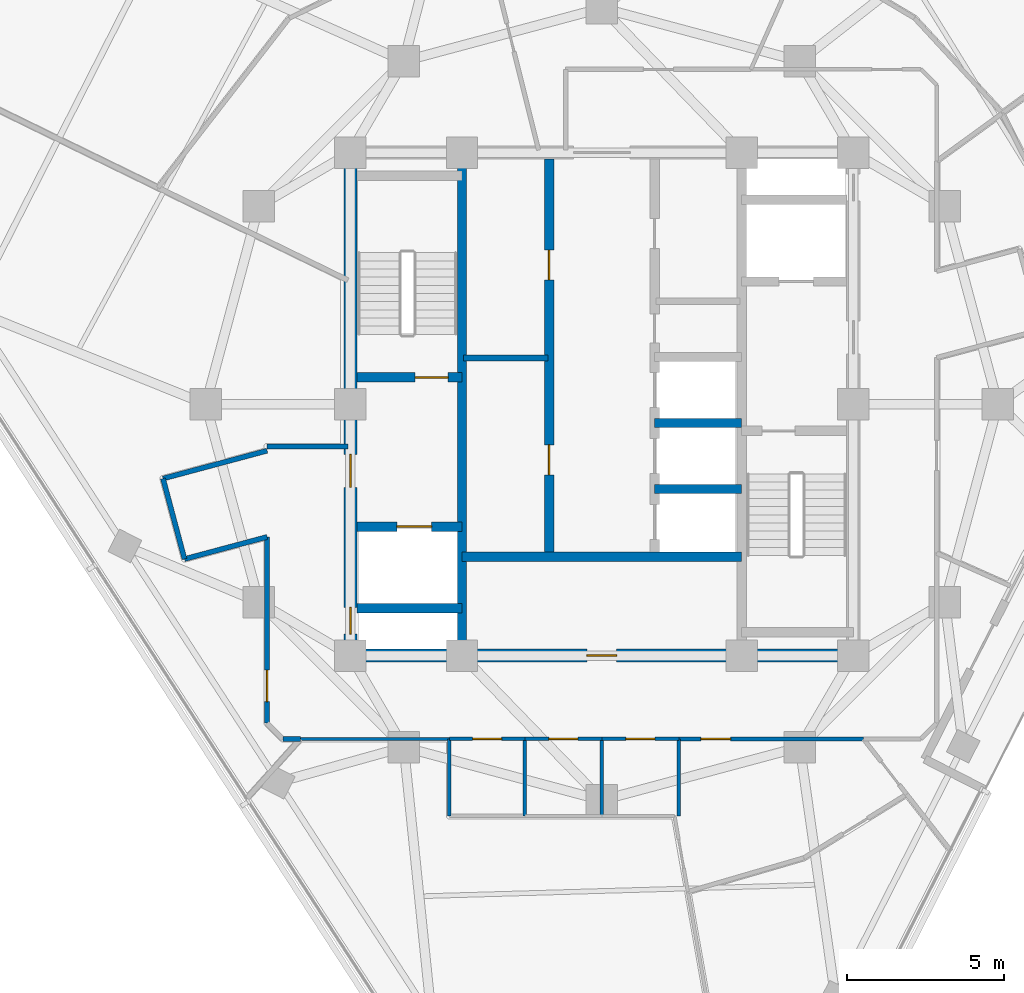
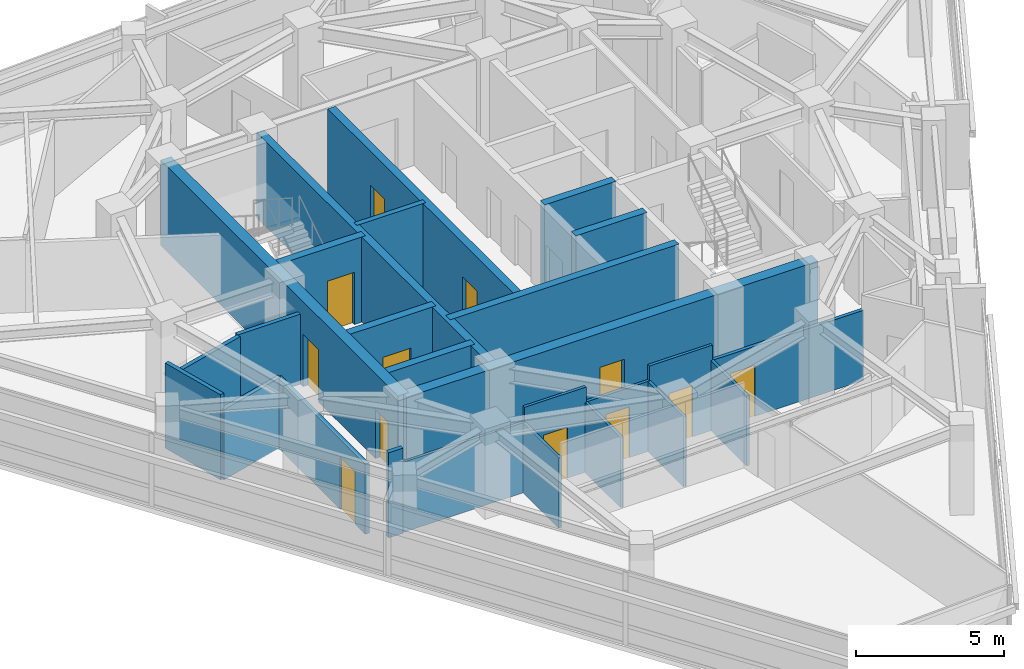
# One storey, part 8 of 15: 26 walls, 12 doors, 12 openings.
"""IFC4 building model written with IfcOpenShell, lengths in metres."""

import ifcopenshell
import ifcopenshell.guid

model = None  # the IFC model being written
_history = None  # IfcOwnerHistory: only IFC2X3 demands one
_inside = {}  # id of a spatial element -> (the spatial element, [elements in it])
_under = {}  # id of a project, library or spatial element -> (it, [spatial elements below it])
_declared = {}  # id of a project -> (the project, [libraries it declares])
_typed = {}  # id of a type object -> (the type object, [elements of that type])
_made_of = {}  # id of a material, layer set ... -> (it, [elements and type objects made of it])


def new_model(schema):
    """Start an empty IFC model of exactly this schema.

    Asked for "IFC4X3", IfcOpenShell would pick the latest addendum, in which some entities
    have other attributes; the version numbers below select the first issue.
    IFC2X3 requires an IfcOwnerHistory on every rooted entity: one is made here for all.
    """
    global model, _history
    if schema == "IFC4X3":
        model = ifcopenshell.file(schema_version=(4, 3, 0, 0))
    else:
        model = ifcopenshell.file(schema=schema)
    _inside.clear()
    _under.clear()
    _declared.clear()
    _typed.clear()
    _made_of.clear()
    _history = None
    if model.schema == "IFC2X3":
        org = make("IfcOrganization", Name="unknown")
        user = make(
            "IfcPersonAndOrganization",
            ThePerson=make("IfcPerson", FamilyName="unknown"),
            TheOrganization=org,
        )
        app = make(
            "IfcApplication",
            ApplicationDeveloper=org,
            Version="unknown",
            ApplicationFullName="unknown",
            ApplicationIdentifier="unknown",
        )
        _history = make(
            "IfcOwnerHistory",
            OwningUser=user,
            OwningApplication=app,
            ChangeAction="ADDED",
            CreationDate=0,
        )
    return model


def make(cls, **values):
    """One entity of the class cls with the attributes given. An attribute that is None is left unset."""
    return model.create_entity(
        cls, **{name: value for name, value in values.items() if value is not None}
    )


def rooted(cls, **values):
    """An entity with a GlobalId (a new one), such as an element, a storey or a relation."""
    return make(cls, GlobalId=ifcopenshell.guid.new(), OwnerHistory=_history, **values)


def si_unit(unit_type, name, prefix=None):
    """IfcSIUnit, for example si_unit("LENGTHUNIT", "METRE", prefix="MILLI")."""
    return make("IfcSIUnit", UnitType=unit_type, Prefix=prefix, Name=name)


def assignment(units):
    """IfcUnitAssignment: the units of a project."""
    return None if units is None else make("IfcUnitAssignment", Units=units)


def point(xyz):
    """IfcCartesianPoint."""
    return None if xyz is None else make("IfcCartesianPoint", Coordinates=xyz)


def direction(xyz):
    """IfcDirection."""
    return None if xyz is None else make("IfcDirection", DirectionRatios=xyz)


def frame(location, z_axis=None, x_axis=None):
    """IfcAxis2Placement3D, a coordinate frame: its origin and axes. An axis left out is left unset."""
    return make(
        "IfcAxis2Placement3D",
        Location=point(location),
        Axis=direction(z_axis),
        RefDirection=direction(x_axis),
    )


def frame_2d(location, x_axis=None):
    """IfcAxis2Placement2D, a coordinate frame in the plane: its origin and x axis."""
    return make(
        "IfcAxis2Placement2D", Location=point(location), RefDirection=direction(x_axis)
    )


def origin():
    """The frame at (0, 0, 0) with its axes left unset."""
    return frame((0.0, 0.0, 0.0))


def place(relative_to, where):
    """IfcLocalPlacement: puts the frame where relative to a parent placement (None: the world)."""
    return make(
        "IfcLocalPlacement", PlacementRelTo=relative_to, RelativePlacement=where
    )


def context(
    kind, dimensions, precision=None, world=None, true_north=None, identifier=None
):
    """IfcGeometricRepresentationContext, for example the 3D "Model" context."""
    return make(
        "IfcGeometricRepresentationContext",
        ContextIdentifier=identifier,
        ContextType=kind,
        CoordinateSpaceDimension=dimensions,
        Precision=precision,
        WorldCoordinateSystem=world,
        TrueNorth=true_north,
    )


def subcontext(parent, identifier, kind, view, scale=None):
    """IfcGeometricRepresentationSubContext, for example "Body" below "Model"."""
    return make(
        "IfcGeometricRepresentationSubContext",
        ContextIdentifier=identifier,
        ContextType=kind,
        ParentContext=parent,
        TargetScale=scale,
        TargetView=view,
    )


def project(units=None, contexts=None):
    """IfcProject with its units and contexts."""
    return rooted(
        "IfcProject",
        Name="project",
        RepresentationContexts=contexts,
        UnitsInContext=assignment(units),
    )


def spatial(cls, under=None, at=None, **own):
    """A site, building, storey or space (cls), placed at a placement, below another one or the project."""
    s = rooted(cls, ObjectPlacement=at, **own)
    if under is not None:
        _under.setdefault(under.id(), (under, []))[1].append(s)
    return s


def profile(cls, at=None, kind="AREA", **sizes):
    """A parametric profile (cls). Its sizes go by their IFC names, for example OverallWidth=200.0."""
    return make(cls, ProfileType=kind, Position=at, **sizes)


def rectangle(**sizes):
    """IfcRectangleProfileDef."""
    return profile("IfcRectangleProfileDef", **sizes)


def extrude(swept, where, along, depth):
    """IfcExtrudedAreaSolid: the profile swept, set in the frame where, extruded along a direction by depth."""
    return make(
        "IfcExtrudedAreaSolid",
        SweptArea=swept,
        Position=where,
        ExtrudedDirection=direction(along),
        Depth=depth,
    )


def shape(context_of_items, identifier, shape_type, items):
    """IfcShapeRepresentation: the items that make up one representation, for example the "Body"."""
    return make(
        "IfcShapeRepresentation",
        ContextOfItems=context_of_items,
        RepresentationIdentifier=identifier,
        RepresentationType=shape_type,
        Items=items,
    )


def material(Name=None, Category=None):
    """IfcMaterial."""
    return make("IfcMaterial", Name=Name, Category=Category)


def layer(
    of_material, thickness, ventilated=None, Name=None, Category=None, Priority=None
):
    """IfcMaterialLayer: one layer of a wall or slab, of a material (None: an air gap)."""
    return make(
        "IfcMaterialLayer",
        Material=of_material,
        LayerThickness=thickness,
        IsVentilated=ventilated,
        Name=Name,
        Category=Category,
        Priority=Priority,
    )


def layer_set(layers, Name=None):
    """IfcMaterialLayerSet."""
    return make("IfcMaterialLayerSet", MaterialLayers=layers, LayerSetName=Name)


def made_of(thing, what):
    """Note that an element or type object is made of a material, layer set ...; save() writes the relation."""
    if what is not None:
        _made_of.setdefault(what.id(), (what, []))[1].append(thing)
    return thing


def type_object(cls, material=None, **own):
    """A type object (cls), such as IfcWallType, which elements share."""
    return made_of(rooted(cls, **own), material)


def element(
    cls,
    number,
    at=None,
    inside=None,
    cuts=None,
    type_object=None,
    material=None,
    context=None,
    identifier="Body",
    shape_type=None,
    held_by="IfcProductDefinitionShape",
    body=None,
    shapes=None,
    **own,
):
    """One element of the class cls, such as IfcWall. Its Tag is "e" and its number.

    at: its placement. inside: the storey or other place that contains it. cuts: it is an
    opening in that element (IfcRelVoidsElement). A single representation is given by context,
    identifier, shape_type and body (its items); several are given by shapes. held_by: the class
    of the entity that holds the representations. save() writes the other relations.
    """
    e = rooted(cls, Tag="e%d" % number, ObjectPlacement=at, **own)
    if body is not None:
        shapes = [shape(context, identifier, shape_type, body)]
    if shapes is not None:
        e.Representation = make(held_by, Representations=shapes)
    if inside is not None:
        _inside.setdefault(inside.id(), (inside, []))[1].append(e)
    if cuts is not None:
        rooted(
            "IfcRelVoidsElement", RelatingBuildingElement=cuts, RelatedOpeningElement=e
        )
    if type_object is not None:
        _typed.setdefault(type_object.id(), (type_object, []))[1].append(e)
    return made_of(e, material)


def fill(opening, filler):
    """IfcRelFillsElement: the door or window that sits in an opening."""
    return rooted(
        "IfcRelFillsElement",
        RelatingOpeningElement=opening,
        RelatedBuildingElement=filler,
    )


def aggregate(whole, parts):
    """IfcRelAggregates: a whole, such as a stair, and the parts it consists of."""
    return rooted("IfcRelAggregates", RelatingObject=whole, RelatedObjects=parts)


def save(model, path):
    """Write the relations noted so far, then the file.

    IfcRelAggregates (storeys below a building ...), IfcRelContainedInSpatialStructure (elements
    in a storey), IfcRelDefinesByType, IfcRelAssociatesMaterial and IfcRelDeclares: one each for
    every whole, place, type object, material and project.
    """
    for whole, parts in _under.values():
        aggregate(whole, parts)
    for where, things in _inside.values():
        rooted(
            "IfcRelContainedInSpatialStructure",
            RelatedElements=things,
            RelatingStructure=where,
        )
    for kind, things in _typed.values():
        rooted("IfcRelDefinesByType", RelatedObjects=things, RelatingType=kind)
    for what, things in _made_of.values():
        rooted("IfcRelAssociatesMaterial", RelatedObjects=things, RelatingMaterial=what)
    for by, libraries in _declared.values():
        rooted("IfcRelDeclares", RelatingContext=by, RelatedDefinitions=libraries)
    model.write(path)


model = new_model("IFC4")

# Units and contexts
model_context = context("Model", 3, precision=1e-05, world=origin(), true_north=direction((0.0, 1.0)))
body_context = subcontext(model_context, "Body", "Model", "MODEL_VIEW")
ifc_project = project(units=[si_unit("LENGTHUNIT", "METRE"), si_unit("AREAUNIT", "SQUARE_METRE"), si_unit("VOLUMEUNIT", "CUBIC_METRE"), si_unit("PLANEANGLEUNIT", "RADIAN"), si_unit("MASSUNIT", "GRAM", prefix="KILO")], contexts=[model_context])

# Site, building, storey
site_placement = place(None, origin())
site = spatial("IfcSite", under=ifc_project, at=site_placement, CompositionType="ELEMENT")
building_placement = place(site_placement, origin())
building = spatial("IfcBuilding", under=site, at=building_placement, Name="Terralouvre Media Tower", CompositionType="ELEMENT")
storey_placement = place(building_placement, frame((0.0, 0.0, 252.199951171875)))
storey = spatial("IfcBuildingStorey", under=building, at=storey_placement, Name="L65", CompositionType="ELEMENT", Elevation=252.199951171875)

# Wall
ifc_material_1 = material(Name="Concrete C50/60", Category="concrete")
ifc_layer_1 = layer(ifc_material_1, 0.300048828125, Name="Core Internal Shaft Wall CW-300")
ifc_layer_set_1 = layer_set([ifc_layer_1], Name="Concrete C50/60")
wall_type_1 = type_object("IfcWallType", Name="Core Internal Shaft Wall CW-300", PredefinedType="SHEAR", material=ifc_layer_set_1)
wall_1_placement = place(storey_placement, frame((-4.449951171875, -7.7900390625, 0.0), z_axis=(0.0, 0.0, 1.0), x_axis=(0.0, 1.0, 0.0)))
element("IfcWall", 1, at=wall_1_placement, inside=storey, type_object=wall_type_1, Name="L65 Core Shaft Wall SPW", PredefinedType="SHEAR", context=body_context, shape_type="SweptSolid", body=[
    extrude(rectangle(XDim=15.580078125, YDim=0.300048828125, at=frame_2d((7.7900390625, 0.0))), origin(), (0.0, 0.0, 1.0), 3.5),
])

# Wall, opening, door
wall_2_placement = place(storey_placement, frame((-7.7900390625, 0.85009765625, 0.0), z_axis=(0.0, 0.0, 1.0), x_axis=(1.0, 0.0, 0.0)))
wall_2 = element("IfcWall", 2, at=wall_2_placement, inside=storey, type_object=wall_type_1, Name="L65 Core Shaft Wall ST1D", PredefinedType="SHEAR", context=body_context, shape_type="SweptSolid", body=[
    extrude(rectangle(XDim=3.340087890625, YDim=0.300048828125, at=frame_2d((1.669921875, 0.0))), origin(), (0.0, 0.0, 1.0), 3.5),
])
opening_1_placement = place(wall_2_placement, frame((1.85009765625, 0.0, 0.0)))
opening_1 = element("IfcOpeningElement", 3, at=opening_1_placement, cuts=wall_2, Name="Opening FD-01-105X215", PredefinedType="OPENING", context=body_context, shape_type="SweptSolid", body=[
    extrude(rectangle(XDim=1.050048828125, YDim=2.14990234375, at=frame_2d((0.52490234375, 1.074951171875))), frame((0.0, 0.159912109375, 0.0), z_axis=(0.0, -1.0, 0.0), x_axis=(1.0, 0.0, 0.0)), (0.0, 0.0, 1.0), 0.320068359375),
])
ifc_material_2 = material(Name="Galvanised steel fire-resisting leaf", Category="steel")
door_type_1 = type_object("IfcDoorType", Name="Stair and Firefighting Lobby Fire Door FD-01 (1050x2150)", OperationType="NOTDEFINED", PredefinedType="DOOR", material=ifc_material_2)
door_1_placement = place(opening_1_placement, origin())
door_1 = element("IfcDoor", 4, at=door_1_placement, inside=storey, type_object=door_type_1, Name="L65 ST-01 Exit Stair Door", OperationType="SINGLE_SWING_LEFT", OverallHeight=2.14990234375, OverallWidth=1.050048828125, PredefinedType="DOOR", context=body_context, shape_type="SweptSolid", body=[
    extrude(rectangle(XDim=1.050048828125, YDim=2.14990234375, at=frame_2d((0.52490234375, 1.074951171875))), frame((0.0, 0.02490234375, 0.0), z_axis=(0.0, -1.0, 0.0), x_axis=(1.0, 0.0, 0.0)), (0.0, 0.0, 1.0), 0.050048828125),
])
fill(opening_1, door_1)

wall_3_placement = place(storey_placement, frame((-7.7900390625, -3.89990234375, 0.0), z_axis=(0.0, 0.0, 1.0), x_axis=(1.0, 0.0, 0.0)))
wall_3 = element("IfcWall", 5, at=wall_3_placement, inside=storey, type_object=wall_type_1, Name="L65 Core Shaft Wall FF1N", PredefinedType="SHEAR", context=body_context, shape_type="SweptSolid", body=[
    extrude(rectangle(XDim=3.340087890625, YDim=0.300048828125, at=frame_2d((1.669921875, 0.0))), origin(), (0.0, 0.0, 1.0), 3.5),
])
opening_2_placement = place(wall_3_placement, frame((1.27001953125, 0.0, 0.0)))
opening_2 = element("IfcOpeningElement", 6, at=opening_2_placement, cuts=wall_3, Name="Opening LD-FF", PredefinedType="OPENING", context=body_context, shape_type="SweptSolid", body=[
    extrude(rectangle(XDim=1.10009765625, YDim=2.10009765625, at=frame_2d((0.550048828125, 1.050048828125))), frame((0.0, 0.159912109375, 0.0), z_axis=(0.0, -1.0, 0.0), x_axis=(1.0, 0.0, 0.0)), (0.0, 0.0, 1.0), 0.320068359375),
])
ifc_material_3 = material(Name="Stainless steel 316 handrail and balustrade", Category="steel")
door_type_2 = type_object("IfcDoorType", Name="Firefighting Lift Sliding Landing Door LD-FF", OperationType="SLIDING_TO_LEFT", PredefinedType="DOOR", material=ifc_material_3)
door_2_placement = place(opening_2_placement, origin())
door_2 = element("IfcDoor", 7, at=door_2_placement, inside=storey, type_object=door_type_2, Name="L65 Firefighting Lift FFL-01 Landing Door", OperationType="SLIDING_TO_LEFT", OverallHeight=2.10009765625, OverallWidth=1.10009765625, PredefinedType="DOOR", context=body_context, shape_type="SweptSolid", body=[
    extrude(rectangle(XDim=1.10009765625, YDim=2.10009765625, at=frame_2d((0.550048828125, 1.050048828125))), frame((0.0, 0.02490234375, 0.0), z_axis=(0.0, -1.0, 0.0), x_axis=(1.0, 0.0, 0.0)), (0.0, 0.0, 1.0), 0.050048828125),
])
fill(opening_2, door_2)

# Walls
wall_4_placement = place(storey_placement, frame((-7.7900390625, -6.5, 0.0), z_axis=(0.0, 0.0, 1.0), x_axis=(1.0, 0.0, 0.0)))
element("IfcWall", 8, at=wall_4_placement, inside=storey, type_object=wall_type_1, Name="L65 Core Shaft Wall FF1S", PredefinedType="SHEAR", context=body_context, shape_type="SweptSolid", body=[
    extrude(rectangle(XDim=3.340087890625, YDim=0.300048828125, at=frame_2d((1.669921875, 0.0))), origin(), (0.0, 0.0, 1.0), 3.5),
])
wall_5_placement = place(storey_placement, frame((-4.449951171875, -4.85009765625, 0.0), z_axis=(0.0, 0.0, 1.0), x_axis=(1.0, 0.0, 0.0)))
element("IfcWall", 9, at=wall_5_placement, inside=storey, type_object=wall_type_1, Name="L65 Core Shaft Wall CSBN", PredefinedType="SHEAR", context=body_context, shape_type="SweptSolid", body=[
    extrude(rectangle(XDim=8.89990234375, YDim=0.300048828125, at=frame_2d((4.449951171875, 0.0))), origin(), (0.0, 0.0, 1.0), 3.5),
])

# Wall, openings, doors
wall_6_placement = place(storey_placement, frame((-1.679931640625, -4.85009765625, 0.0), z_axis=(0.0, 0.0, 1.0), x_axis=(0.0, 1.0, 0.0)))
wall_6 = element("IfcWall", 10, at=wall_6_placement, inside=storey, type_object=wall_type_1, Name="L65 Core Shaft Wall LBW", PredefinedType="SHEAR", context=body_context, shape_type="SweptSolid", body=[
    extrude(rectangle(XDim=12.64013671875, YDim=0.300048828125, at=frame_2d((6.320068359375, 0.0))), origin(), (0.0, 0.0, 1.0), 3.5),
])
opening_3_placement = place(wall_6_placement, frame((2.60009765625, 0.0, 0.0)))
opening_3 = element("IfcOpeningElement", 11, at=opening_3_placement, cuts=wall_6, Name="Opening FD-02-95X210", PredefinedType="OPENING", context=body_context, shape_type="SweptSolid", body=[
    extrude(rectangle(XDim=0.949951171875, YDim=2.10009765625, at=frame_2d((0.47509765625, 1.050048828125))), frame((0.0, 0.159912109375, 0.0), z_axis=(0.0, -1.0, 0.0), x_axis=(1.0, 0.0, 0.0)), (0.0, 0.0, 1.0), 0.320068359375),
])
opening_4_placement = place(wall_6_placement, frame((8.800048828125, 0.0, 0.0)))
opening_4 = element("IfcOpeningElement", 12, at=opening_4_placement, cuts=wall_6, Name="Opening FD-04-95X210", PredefinedType="OPENING", context=body_context, shape_type="SweptSolid", body=[
    extrude(rectangle(XDim=0.949951171875, YDim=2.10009765625, at=frame_2d((0.47509765625, 1.050048828125))), frame((0.0, 0.159912109375, 0.0), z_axis=(0.0, -1.0, 0.0), x_axis=(1.0, 0.0, 0.0)), (0.0, 0.0, 1.0), 0.320068359375),
])
ifc_material_4 = material(Name="Galvanised steel fire-resisting leaf", Category="steel")
door_type_3 = type_object("IfcDoorType", Name="Core Store and Service Fire Door FD-04 (950x2100)", OperationType="NOTDEFINED", PredefinedType="DOOR", material=ifc_material_4)
door_3_placement = place(opening_4_placement, origin())
door_3 = element("IfcDoor", 13, at=door_3_placement, inside=storey, type_object=door_type_3, Name="L65 Core Linen Store Door", OperationType="SINGLE_SWING_RIGHT", OverallHeight=2.10009765625, OverallWidth=0.949951171875, PredefinedType="DOOR", context=body_context, shape_type="SweptSolid", body=[
    extrude(rectangle(XDim=0.949951171875, YDim=2.10009765625, at=frame_2d((0.47509765625, 1.050048828125))), frame((0.0, 0.02490234375, 0.0), z_axis=(0.0, -1.0, 0.0), x_axis=(1.0, 0.0, 0.0)), (0.0, 0.0, 1.0), 0.050048828125),
])
fill(opening_4, door_3)
ifc_material_5 = material(Name="Galvanised steel fire-resisting leaf", Category="steel")
door_type_4 = type_object("IfcDoorType", Name="Plant and Riser Fire Door FD-02 (950x2100)", OperationType="NOTDEFINED", PredefinedType="DOOR", material=ifc_material_5)
door_4_placement = place(opening_3_placement, origin())
door_4 = element("IfcDoor", 14, at=door_4_placement, inside=storey, type_object=door_type_4, Name="L65 Core Fibre Patch Plant Door", OperationType="SINGLE_SWING_LEFT", OverallHeight=2.10009765625, OverallWidth=0.949951171875, PredefinedType="DOOR", context=body_context, shape_type="SweptSolid", body=[
    extrude(rectangle(XDim=0.949951171875, YDim=2.10009765625, at=frame_2d((0.47509765625, 1.050048828125))), frame((0.0, 0.02490234375, 0.0), z_axis=(0.0, -1.0, 0.0), x_axis=(1.0, 0.0, 0.0)), (0.0, 0.0, 1.0), 0.050048828125),
])
fill(opening_3, door_4)

# Walls
for number, where, z_axis, x_axis, name in (
    (15, (1.679931640625, -2.699951171875, 0.0), (0.0, 0.0, 1.0), (1.0, 0.0, 0.0), "L65 Core Shaft Wall PLHD1"),
    (16, (1.679931640625, -0.60009765625, 0.0), (0.0, 0.0, 1.0), (1.0, 0.0, 0.0), "L65 Core Shaft Wall PLHD2"),
):
    element("IfcWall", number, at=place(storey_placement, frame(where, z_axis=z_axis, x_axis=x_axis)), inside=storey, type_object=wall_type_1, Name=name, PredefinedType="SHEAR", context=body_context, shape_type="SweptSolid", body=[
        extrude(rectangle(XDim=2.77001953125, YDim=0.300048828125, at=frame_2d((1.385009765625, 0.0))), origin(), (0.0, 0.0, 1.0), 3.5),
    ])

# Wall, openings, doors
ifc_material_6 = material(Name="Concrete C60/75", Category="concrete")
ifc_layer_2 = layer(ifc_material_6, 0.419921875, Name="Core Reinforced Concrete Shear Wall CW-420")
ifc_layer_set_2 = layer_set([ifc_layer_2], Name="Concrete C60/75")
wall_type_2 = type_object("IfcWallType", Name="Core Reinforced Concrete Shear Wall CW-420", PredefinedType="SHEAR", material=ifc_layer_set_2)
wall_7_placement = place(storey_placement, frame((-8.0, -8.0, 0.0), z_axis=(0.0, 0.0, 1.0), x_axis=(0.0, 1.0, 0.0)))
wall_7 = element("IfcWall", 17, at=wall_7_placement, inside=storey, type_object=wall_type_2, Name="L65 W Core Shear Wall", PredefinedType="SHEAR", context=body_context, shape_type="SweptSolid", body=[
    extrude(rectangle(XDim=16.0, YDim=0.419921875, at=frame_2d((8.0, 0.0))), origin(), (0.0, 0.0, 1.0), 3.5),
])
opening_5_placement = place(wall_7_placement, frame((0.68115234375, 0.0, 0.0)))
opening_5 = element("IfcOpeningElement", 18, at=opening_5_placement, cuts=wall_7, Name="Opening TD-R1", PredefinedType="OPENING", context=body_context, shape_type="SweptSolid", body=[
    extrude(rectangle(XDim=0.85009765625, YDim=2.02001953125, at=frame_2d((0.425048828125, 1.010009765625))), frame((0.0, 0.219970703125, 0.0), z_axis=(0.0, -1.0, 0.0), x_axis=(1.0, 0.0, 0.0)), (0.0, 0.0, 1.0), 0.43994140625),
])
opening_6_placement = place(wall_7_placement, frame((5.35009765625, 0.0, 0.0)))
opening_6 = element("IfcOpeningElement", 19, at=opening_6_placement, cuts=wall_7, Name="Opening FD-01-105X215", PredefinedType="OPENING", context=body_context, shape_type="SweptSolid", body=[
    extrude(rectangle(XDim=1.050048828125, YDim=2.14990234375, at=frame_2d((0.52490234375, 1.074951171875))), frame((0.0, 0.219970703125, 0.0), z_axis=(0.0, -1.0, 0.0), x_axis=(1.0, 0.0, 0.0)), (0.0, 0.0, 1.0), 0.43994140625),
])
ifc_material_7 = material(Name="Galvanised steel fire-resisting leaf", Category="steel")
door_type_5 = type_object("IfcDoorType", Name="Riser Inspection Access Trapdoor TD-R1", OperationType="NOTDEFINED", PredefinedType="TRAPDOOR", material=ifc_material_7)
door_5_placement = place(opening_5_placement, origin())
door_5 = element("IfcDoor", 20, at=door_5_placement, inside=storey, type_object=door_type_5, Name="L65 Wet Riser Access Trapdoor", OperationType="SINGLE_SWING_LEFT", OverallHeight=2.02001953125, OverallWidth=0.85009765625, PredefinedType="TRAPDOOR", context=body_context, shape_type="SweptSolid", body=[
    extrude(rectangle(XDim=0.85009765625, YDim=2.02001953125, at=frame_2d((0.425048828125, 1.010009765625))), frame((0.0, 0.02490234375, 0.0), z_axis=(0.0, -1.0, 0.0), x_axis=(1.0, 0.0, 0.0)), (0.0, 0.0, 1.0), 0.050048828125),
])
fill(opening_5, door_5)
door_6_placement = place(opening_6_placement, origin())
door_6 = element("IfcDoor", 21, at=door_6_placement, inside=storey, type_object=door_type_1, Name="L65 West Firefighting Lobby Entry Door", OperationType="SINGLE_SWING_RIGHT", OverallHeight=2.14990234375, OverallWidth=1.050048828125, PredefinedType="DOOR", context=body_context, shape_type="SweptSolid", body=[
    extrude(rectangle(XDim=1.050048828125, YDim=2.14990234375, at=frame_2d((0.52490234375, 1.074951171875))), frame((0.0, 0.02490234375, 0.0), z_axis=(0.0, -1.0, 0.0), x_axis=(1.0, 0.0, 0.0)), (0.0, 0.0, 1.0), 0.050048828125),
])
fill(opening_6, door_6)

# Wall, opening, door
wall_8_placement = place(storey_placement, frame((-8.0, -8.0, 0.0), z_axis=(0.0, 0.0, 1.0), x_axis=(1.0, 0.0, 0.0)))
wall_8 = element("IfcWall", 22, at=wall_8_placement, inside=storey, type_object=wall_type_2, Name="L65 S Core Shear Wall", PredefinedType="SHEAR", context=body_context, shape_type="SweptSolid", body=[
    extrude(rectangle(XDim=16.0, YDim=0.419921875, at=frame_2d((8.0, 0.0))), origin(), (0.0, 0.0, 1.0), 3.5),
])
opening_7_placement = place(wall_8_placement, frame((7.52001953125, 0.0, 0.0)))
opening_7 = element("IfcOpeningElement", 23, at=opening_7_placement, cuts=wall_8, Name="Opening FD-02-95X210", PredefinedType="OPENING", context=body_context, shape_type="SweptSolid", body=[
    extrude(rectangle(XDim=0.949951171875, YDim=2.10009765625, at=frame_2d((0.47509765625, 1.050048828125))), frame((0.0, 0.219970703125, 0.0), z_axis=(0.0, -1.0, 0.0), x_axis=(1.0, 0.0, 0.0)), (0.0, 0.0, 1.0), 0.43994140625),
])
door_7_placement = place(opening_7_placement, origin())
door_7 = element("IfcDoor", 24, at=door_7_placement, inside=storey, type_object=door_type_4, Name="L65 Core Switchgear Plant Door", OperationType="SINGLE_SWING_LEFT", OverallHeight=2.10009765625, OverallWidth=0.949951171875, PredefinedType="DOOR", context=body_context, shape_type="SweptSolid", body=[
    extrude(rectangle(XDim=0.949951171875, YDim=2.10009765625, at=frame_2d((0.47509765625, 1.050048828125))), frame((0.0, 0.02490234375, 0.0), z_axis=(0.0, -1.0, 0.0), x_axis=(1.0, 0.0, 0.0)), (0.0, 0.0, 1.0), 0.050048828125),
])
fill(opening_7, door_7)

# Walls
ifc_material_8 = material(Name="Low-iron laminated double glazing with solar-control coating", Category="glass")
ifc_layer_3 = layer(ifc_material_8, 0.10009765625, Name="Demountable Glazed Office Partition PT-GL100")
ifc_layer_set_3 = layer_set([ifc_layer_3], Name="Low-iron laminated double glazing with solar-control coating")
wall_type_3 = type_object("IfcWallType", Name="Demountable Glazed Office Partition PT-GL100", PredefinedType="MOVABLE", material=ifc_layer_set_3)
wall_9_placement = place(storey_placement, frame((-9.589111328125, -10.64990234375, 0.0), z_axis=(0.0, 0.0, 1.0), x_axis=(1.0, 0.0, 0.0)))
element("IfcWall", 25, at=wall_9_placement, inside=storey, type_object=wall_type_3, Name="L65 Interior Partition 014", PredefinedType="MOVABLE", context=body_context, shape_type="SweptSolid", body=[
    extrude(rectangle(XDim=4.739013671875, YDim=0.10009765625, at=frame_2d((2.36962890625, 0.0))), origin(), (0.0, 0.0, 1.0), 2.885009765625),
])
ifc_material_9 = material(Name="Fire-rated gypsum board drywall partition")
ifc_layer_4 = layer(ifc_material_9, 0.199951171875, Name="Fire-Rated Shaft and Lobby Partition FW-200")
ifc_layer_set_4 = layer_set([ifc_layer_4], Name="Fire-rated gypsum board drywall partition")
wall_type_4 = type_object("IfcWallType", Name="Fire-Rated Shaft and Lobby Partition FW-200", PredefinedType="SOLIDWALL", material=ifc_layer_set_4)
wall_10_placement = place(storey_placement, frame((-4.39990234375, 1.469970703125, 0.0), z_axis=(0.0, 0.0, 1.0), x_axis=(1.0, 0.0, 0.0)))
element("IfcWall", 26, at=wall_10_placement, inside=storey, type_object=wall_type_4, Name="L65 Core West Sub-Partition 1", PredefinedType="SOLIDWALL", context=body_context, shape_type="SweptSolid", body=[
    extrude(rectangle(XDim=2.679931640625, YDim=0.199951171875, at=frame_2d((1.33984375, 0.0))), origin(), (0.0, 0.0, 1.0), 3.5),
])

# Wall, opening, door
ifc_material_10 = material(Name="Fire-rated gypsum board drywall partition")
ifc_layer_5 = layer(ifc_material_10, 0.135009765625, Name="Newsroom Acoustic Partition PT-135")
ifc_layer_set_5 = layer_set([ifc_layer_5], Name="Fire-rated gypsum board drywall partition")
wall_type_5 = type_object("IfcWallType", Name="Newsroom Acoustic Partition PT-135", PredefinedType="PARTITIONING", material=ifc_layer_set_5)
wall_11_placement = place(storey_placement, frame((2.449951171875, -10.64990234375, 0.0), z_axis=(0.0, 0.0, 1.0), x_axis=(1.0, 0.0, 0.0)))
wall_11 = element("IfcWall", 27, at=wall_11_placement, inside=storey, type_object=wall_type_5, Name="L65 Interior Partition 017", PredefinedType="PARTITIONING", context=body_context, shape_type="SweptSolid", body=[
    extrude(rectangle(XDim=5.87109375, YDim=0.135009765625, at=frame_2d((2.935546875, 0.0))), origin(), (0.0, 0.0, 1.0), 2.885009765625),
])
opening_8_placement = place(wall_11_placement, frame((0.69921875, 0.0, 0.0)))
opening_8 = element("IfcOpeningElement", 28, at=opening_8_placement, cuts=wall_11, Name="Opening ID-02-95X210", PredefinedType="OPENING", context=body_context, shape_type="SweptSolid", body=[
    extrude(rectangle(XDim=0.949951171875, YDim=2.10009765625, at=frame_2d((0.47509765625, 1.050048828125))), frame((0.0, 0.077392578125, 0.0), z_axis=(0.0, -1.0, 0.0), x_axis=(1.0, 0.0, 0.0)), (0.0, 0.0, 1.0), 0.155029296875),
])
ifc_material_11 = material(Name="Engineered hardwood acoustic timber leaf", Category="wood")
door_type_6 = type_object("IfcDoorType", Name="Office and Meeting Room Door ID-02 (950x2100)", OperationType="NOTDEFINED", PredefinedType="DOOR", material=ifc_material_11)
door_8_placement = place(opening_8_placement, origin())
door_8 = element("IfcDoor", 29, at=door_8_placement, inside=storey, type_object=door_type_6, Name="L65 Book Review Reading Study 5 Door", OperationType="SINGLE_SWING_LEFT", OverallHeight=2.10009765625, OverallWidth=0.949951171875, PredefinedType="DOOR", context=body_context, shape_type="SweptSolid", body=[
    extrude(rectangle(XDim=0.949951171875, YDim=2.10009765625, at=frame_2d((0.47509765625, 1.050048828125))), frame((0.0, 0.02490234375, 0.0), z_axis=(0.0, -1.0, 0.0), x_axis=(1.0, 0.0, 0.0)), (0.0, 0.0, 1.0), 0.050048828125),
])
fill(opening_8, door_8)

ifc_material_12 = material(Name="Fire-rated gypsum board drywall partition")
ifc_layer_6 = layer(ifc_material_12, 0.114990234375, Name="Restroom and Pantry Partition PT-115")
ifc_layer_set_6 = layer_set([ifc_layer_6], Name="Fire-rated gypsum board drywall partition")
wall_type_6 = type_object("IfcWallType", Name="Restroom and Pantry Partition PT-115", PredefinedType="PARTITIONING", material=ifc_layer_set_6)
wall_12_placement = place(storey_placement, frame((-4.85009765625, -10.64990234375, 0.0), z_axis=(0.0, 0.0, 1.0), x_axis=(1.0, 0.0, 0.0)))
wall_12 = element("IfcWall", 30, at=wall_12_placement, inside=storey, type_object=wall_type_6, Name="L65 Interior Partition 013", PredefinedType="PARTITIONING", context=body_context, shape_type="SweptSolid", body=[
    extrude(rectangle(XDim=2.400146484375, YDim=0.114990234375, at=frame_2d((1.2001953125, 0.0))), origin(), (0.0, 0.0, 1.0), 3.5),
])
opening_9_placement = place(wall_12_placement, frame((0.739990234375, 0.0, 0.0)))
opening_9 = element("IfcOpeningElement", 31, at=opening_9_placement, cuts=wall_12, Name="Opening ID-03-92X210", PredefinedType="OPENING", context=body_context, shape_type="SweptSolid", body=[
    extrude(rectangle(XDim=0.919921875, YDim=2.10009765625, at=frame_2d((0.4599609375, 1.050048828125))), frame((0.0, 0.0673828125, 0.0), z_axis=(0.0, -1.0, 0.0), x_axis=(1.0, 0.0, 0.0)), (0.0, 0.0, 1.0), 0.135009765625),
])
ifc_material_13 = material(Name="Engineered hardwood acoustic timber leaf", Category="wood")
door_type_7 = type_object("IfcDoorType", Name="Accessible Restroom and Suite Door ID-03 (920x2100)", OperationType="NOTDEFINED", PredefinedType="DOOR", material=ifc_material_13)
door_9_placement = place(opening_9_placement, origin())
door_9 = element("IfcDoor", 32, at=door_9_placement, inside=storey, type_object=door_type_7, Name="L65 Male Restroom WC Door", OperationType="SINGLE_SWING_RIGHT", OverallHeight=2.10009765625, OverallWidth=0.919921875, PredefinedType="DOOR", context=body_context, shape_type="SweptSolid", body=[
    extrude(rectangle(XDim=0.919921875, YDim=2.10009765625, at=frame_2d((0.4599609375, 1.050048828125))), frame((0.0, 0.02490234375, 0.0), z_axis=(0.0, -1.0, 0.0), x_axis=(1.0, 0.0, 0.0)), (0.0, 0.0, 1.0), 0.050048828125),
])
fill(opening_9, door_9)

wall_13_placement = place(storey_placement, frame((-2.449951171875, -10.64990234375, 0.0), z_axis=(0.0, 0.0, 1.0), x_axis=(1.0, 0.0, 0.0)))
wall_13 = element("IfcWall", 33, at=wall_13_placement, inside=storey, type_object=wall_type_6, Name="L65 Interior Partition 015", PredefinedType="PARTITIONING", context=body_context, shape_type="SweptSolid", body=[
    extrude(rectangle(XDim=2.449951171875, YDim=0.114990234375, at=frame_2d((1.22509765625, 0.0))), origin(), (0.0, 0.0, 1.0), 2.885009765625),
])
opening_10_placement = place(wall_13_placement, frame((0.764892578125, 0.0, 0.0)))
opening_10 = element("IfcOpeningElement", 34, at=opening_10_placement, cuts=wall_13, Name="Opening ID-03-92X210", PredefinedType="OPENING", context=body_context, shape_type="SweptSolid", body=[
    extrude(rectangle(XDim=0.919921875, YDim=2.10009765625, at=frame_2d((0.4599609375, 1.050048828125))), frame((0.0, 0.0673828125, 0.0), z_axis=(0.0, -1.0, 0.0), x_axis=(1.0, 0.0, 0.0)), (0.0, 0.0, 1.0), 0.135009765625),
])
door_10_placement = place(opening_10_placement, origin())
door_10 = element("IfcDoor", 35, at=door_10_placement, inside=storey, type_object=door_type_7, Name="L65 Female Restroom WC Door", OperationType="SINGLE_SWING_LEFT", OverallHeight=2.10009765625, OverallWidth=0.919921875, PredefinedType="DOOR", context=body_context, shape_type="SweptSolid", body=[
    extrude(rectangle(XDim=0.919921875, YDim=2.10009765625, at=frame_2d((0.4599609375, 1.050048828125))), frame((0.0, 0.02490234375, 0.0), z_axis=(0.0, -1.0, 0.0), x_axis=(1.0, 0.0, 0.0)), (0.0, 0.0, 1.0), 0.050048828125),
])
fill(opening_10, door_10)

wall_14_placement = place(storey_placement, frame((0.0, -10.64990234375, 0.0), z_axis=(0.0, 0.0, 1.0), x_axis=(1.0, 0.0, 0.0)))
wall_14 = element("IfcWall", 36, at=wall_14_placement, inside=storey, type_object=wall_type_6, Name="L65 Interior Partition 016", PredefinedType="PARTITIONING", context=body_context, shape_type="SweptSolid", body=[
    extrude(rectangle(XDim=2.449951171875, YDim=0.114990234375, at=frame_2d((1.22509765625, 0.0))), origin(), (0.0, 0.0, 1.0), 3.5),
])
opening_11_placement = place(wall_14_placement, frame((0.764892578125, 0.0, 0.0)))
opening_11 = element("IfcOpeningElement", 37, at=opening_11_placement, cuts=wall_14, Name="Opening ID-03-92X210", PredefinedType="OPENING", context=body_context, shape_type="SweptSolid", body=[
    extrude(rectangle(XDim=0.919921875, YDim=2.10009765625, at=frame_2d((0.4599609375, 1.050048828125))), frame((0.0, 0.0673828125, 0.0), z_axis=(0.0, -1.0, 0.0), x_axis=(1.0, 0.0, 0.0)), (0.0, 0.0, 1.0), 0.135009765625),
])
door_11_placement = place(opening_11_placement, origin())
door_11 = element("IfcDoor", 38, at=door_11_placement, inside=storey, type_object=door_type_7, Name="L65 Accessible Unisex WC Door", OperationType="SINGLE_SWING_RIGHT", OverallHeight=2.10009765625, OverallWidth=0.919921875, PredefinedType="DOOR", context=body_context, shape_type="SweptSolid", body=[
    extrude(rectangle(XDim=0.919921875, YDim=2.10009765625, at=frame_2d((0.4599609375, 1.050048828125))), frame((0.0, 0.02490234375, 0.0), z_axis=(0.0, -1.0, 0.0), x_axis=(1.0, 0.0, 0.0)), (0.0, 0.0, 1.0), 0.050048828125),
])
fill(opening_11, door_11)

# Walls
for number, where, z_axis, x_axis, name in (
    (39, (-4.85009765625, -10.64990234375, 0.0), (0.0, 0.0, 1.0), (0.0, -1.0, 0.0), "L65 Interior Partition 034"),
    (40, (-2.449951171875, -13.10009765625, 0.0), (0.0, 0.0, 1.0), (0.0, 1.0, 0.0), "L65 Interior Partition 036"),
    (41, (0.0, -13.10009765625, 0.0), (0.0, 0.0, 1.0), (0.0, 1.0, 0.0), "L65 Interior Partition 041"),
    (42, (2.449951171875, -13.10009765625, 0.0), (0.0, 0.0, 1.0), (0.0, 1.0, 0.0), "L65 Interior Partition 042"),
):
    element("IfcWall", number, at=place(storey_placement, frame(where, z_axis=z_axis, x_axis=x_axis)), inside=storey, type_object=wall_type_6, Name=name, PredefinedType="PARTITIONING", context=body_context, shape_type="SweptSolid", body=[
        extrude(rectangle(XDim=2.4501953125, YDim=0.114990234375, at=frame_2d((1.22509765625, 0.0))), origin(), (0.0, 0.0, 1.0), 2.885009765625),
    ])
ifc_material_14 = material(Name="Fire-rated gypsum board drywall partition")
ifc_layer_7 = layer(ifc_material_14, 0.159912109375, Name="Studio Acoustic Rated Partition PT-160")
ifc_layer_set_7 = layer_set([ifc_layer_7], Name="Fire-rated gypsum board drywall partition")
wall_type_7 = type_object("IfcWallType", Name="Studio Acoustic Rated Partition PT-160", PredefinedType="PARTITIONING", material=ifc_layer_set_7)
wall_15_placement = place(storey_placement, frame((-8.080078125, -1.35009765625, 0.0), z_axis=(0.0, 0.0, 1.0), x_axis=(-1.0, 0.0, 0.0)))
element("IfcWall", 43, at=wall_15_placement, inside=storey, type_object=wall_type_7, Name="L65 Interior Partition 001", PredefinedType="PARTITIONING", context=body_context, shape_type="SweptSolid", body=[
    extrude(rectangle(XDim=2.56982421875, YDim=0.159912109375, at=frame_2d((1.284912109375, 0.0))), origin(), (0.0, 0.0, 1.0), 2.885009765625),
])
wall_16_placement = place(storey_placement, frame((-10.64990234375, -1.48193359375, 0.0), z_axis=(0.0, 0.0, 1.0), x_axis=(-0.965961397105, -0.2586862565, 0.0)))
element("IfcWall", 44, at=wall_16_placement, inside=storey, type_object=wall_type_7, Name="L65 Interior Partition 002", PredefinedType="PARTITIONING", context=body_context, shape_type="SweptSolid", body=[
    extrude(rectangle(XDim=3.4287109375, YDim=0.159912109375, at=frame_2d((1.71435546875, 0.0))), origin(), (0.0, 0.0, 1.0), 2.885009765625),
])
wall_17_placement = place(storey_placement, frame((-13.9619140625, -2.368896484375, 0.0), z_axis=(0.0, 0.0, 1.0), x_axis=(0.258413725385, -0.966034340245, 0.0)))
element("IfcWall", 45, at=wall_17_placement, inside=storey, type_object=wall_type_7, Name="L65 Interior Partition 003", PredefinedType="PARTITIONING", context=body_context, shape_type="SweptSolid", body=[
    extrude(rectangle(XDim=2.650146484375, YDim=0.159912109375, at=frame_2d((1.3251953125, 0.0))), origin(), (0.0, 0.0, 1.0), 3.5),
])
wall_18_placement = place(storey_placement, frame((-13.277099609375, -4.928955078125, 0.0), z_axis=(0.0, 0.0, 1.0), x_axis=(0.965934830229, 0.258785439601, 0.0)))
element("IfcWall", 46, at=wall_18_placement, inside=storey, type_object=wall_type_7, Name="L65 Interior Partition 004", PredefinedType="PARTITIONING", context=body_context, shape_type="SweptSolid", body=[
    extrude(rectangle(XDim=2.719970703125, YDim=0.159912109375, at=frame_2d((1.35986328125, 0.0))), origin(), (0.0, 0.0, 1.0), 2.885009765625),
])

# Wall, opening, door
wall_19_placement = place(storey_placement, frame((-10.64990234375, -4.22509765625, 0.0), z_axis=(0.0, 0.0, 1.0), x_axis=(0.0, -1.0, 0.0)))
wall_19 = element("IfcWall", 47, at=wall_19_placement, inside=storey, type_object=wall_type_7, Name="L65 Interior Partition 005", PredefinedType="PARTITIONING", context=body_context, shape_type="SweptSolid", body=[
    extrude(rectangle(XDim=5.9248046875, YDim=0.159912109375, at=frame_2d((2.96240234375, 0.0))), origin(), (0.0, 0.0, 1.0), 2.885009765625),
])
opening_12_placement = place(wall_19_placement, frame((4.239990234375, 0.0, 0.0)))
opening_12 = element("IfcOpeningElement", 48, at=opening_12_placement, cuts=wall_19, Name="Opening ID-01-100X215", PredefinedType="OPENING", context=body_context, shape_type="SweptSolid", body=[
    extrude(rectangle(XDim=1.0, YDim=2.14990234375, at=frame_2d((0.5, 1.074951171875))), frame((0.0, 0.08984375, 0.0), z_axis=(0.0, -1.0, 0.0), x_axis=(1.0, 0.0, 0.0)), (0.0, 0.0, 1.0), 0.179931640625),
])
ifc_material_15 = material(Name="Engineered hardwood acoustic timber leaf", Category="wood")
door_type_8 = type_object("IfcDoorType", Name="Broadcast Studio Acoustic Single Door ID-01 (1000x2150)", OperationType="NOTDEFINED", PredefinedType="DOOR", material=ifc_material_15)
door_12_placement = place(opening_12_placement, origin())
door_12 = element("IfcDoor", 49, at=door_12_placement, inside=storey, type_object=door_type_8, Name="L65 Audio Digitisation Control Room 1 Door", OperationType="SINGLE_SWING_RIGHT", OverallHeight=2.14990234375, OverallWidth=1.0, PredefinedType="DOOR", context=body_context, shape_type="SweptSolid", body=[
    extrude(rectangle(XDim=1.0, YDim=2.14990234375, at=frame_2d((0.5, 1.074951171875))), frame((0.0, 0.02490234375, 0.0), z_axis=(0.0, -1.0, 0.0), x_axis=(1.0, 0.0, 0.0)), (0.0, 0.0, 1.0), 0.050048828125),
])
fill(opening_12, door_12)

# Wall
wall_20_placement = place(storey_placement, frame((-10.14990234375, -10.64990234375, 0.0), z_axis=(0.0, 0.0, 1.0), x_axis=(1.0, 0.0, 0.0)))
element("IfcWall", 50, at=wall_20_placement, inside=storey, type_object=wall_type_7, Name="L65 Interior Partition 007", PredefinedType="PARTITIONING", context=body_context, shape_type="SweptSolid", body=[
    extrude(rectangle(XDim=0.560791015625, YDim=0.159912109375, at=frame_2d((0.2802734375, 0.0))), origin(), (0.0, 0.0, 1.0), 3.5),
])

save(model, "model.ifc")
